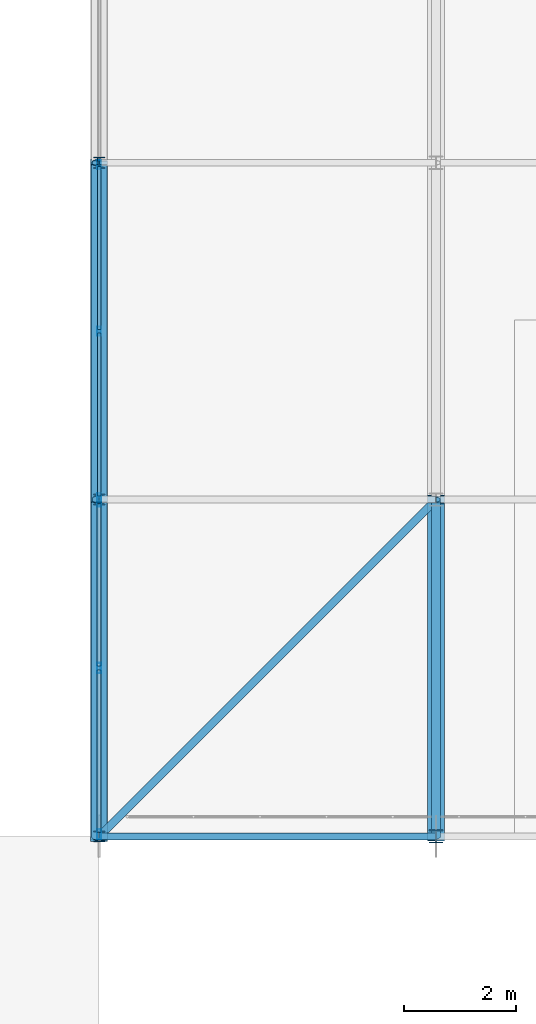
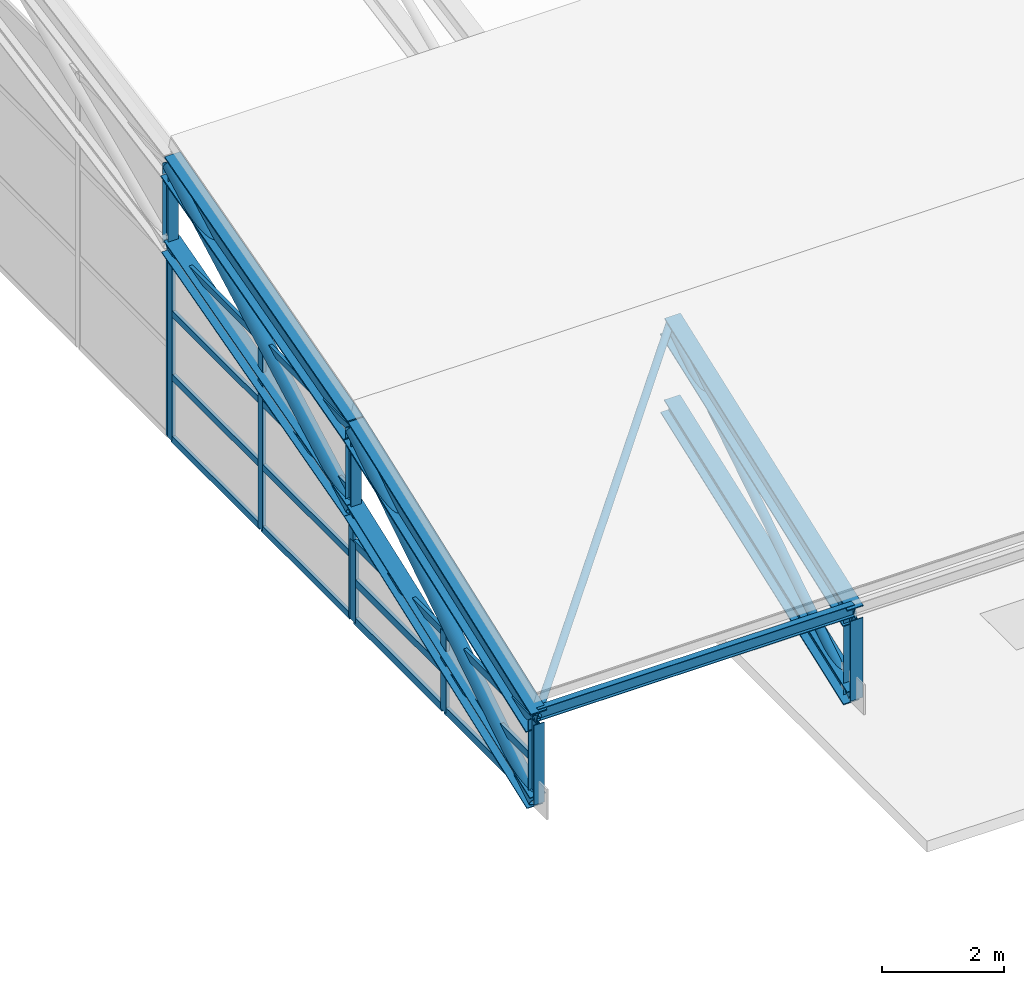
# One storey, part 19 of 204: 36 members, 3 elements without a shape of their own.
"""IFC4 building model written with IfcOpenShell, lengths in metres."""

from ifc_helpers import new_model, si_unit, direction, frame, origin, origin_2d, place, context, subcontext, project, spatial, hollow_rectangle, hollow_circle, i_section, extrude, material, layer, layer_set, material_profile, profile_set, type_object, element, aggregate, save


model = new_model("IFC4")

# Units and contexts
model_context = context("Model", 3, precision=1e-05, world=origin(), true_north=direction((0.0, 1.0)))
body_context = subcontext(model_context, "Body", "Model", "MODEL_VIEW")
ifc_project = project(units=[si_unit("LENGTHUNIT", "METRE"), si_unit("AREAUNIT", "SQUARE_METRE"), si_unit("VOLUMEUNIT", "CUBIC_METRE"), si_unit("PLANEANGLEUNIT", "RADIAN"), si_unit("MASSUNIT", "GRAM", prefix="KILO")], contexts=[model_context])

# Site, building, storey
site_placement = place(None, origin())
site = spatial("IfcSite", under=ifc_project, at=site_placement, CompositionType="ELEMENT")
building_placement = place(site_placement, origin())
building = spatial("IfcBuilding", under=site, at=building_placement, Name="Zilviju Railside Exhibition Hall", CompositionType="ELEMENT")
storey_placement = place(building_placement, frame((0.0, 0.0, 21.0)))
storey = spatial("IfcBuildingStorey", under=building, at=storey_placement, Name="RF", CompositionType="ELEMENT", Elevation=21.0)

# Curtain wall, member
ifc_material_1 = material(Name="Thermally broken aluminium-steel triple-glazed curtain wall", Category="steel")
ifc_layer_1 = layer(ifc_material_1, 0.179931640625)
ifc_layer_set_1 = layer_set([ifc_layer_1], Name="Thermally broken aluminium-steel triple-glazed curtain wall")
curtain_wall_type_1 = type_object("IfcCurtainWallType", Name="CW-BAY-11", PredefinedType="USERDEFINED", material=ifc_layer_set_1)
curtain_wall_1_placement = place(storey_placement, origin())
curtain_wall_1 = element("IfcCurtainWall", 1, at=curtain_wall_1_placement, inside=storey, type_object=curtain_wall_type_1, Name="South Hall Arch Tympanum Glazing West P3", ObjectType="GLAZED CURTAIN WALL", PredefinedType="USERDEFINED")
ifc_material_2 = material(Name="Thermally broken anodized aluminium mullion", Category="aluminium")
ifc_material_profile_1 = material_profile(ifc_material_2, hollow_rectangle(XDim=0.06005859375, YDim=0.139892578125, WallThickness=0.0048828125, at=origin_2d()), Name="MULLION 140x60x5")
ifc_profile_set_1 = profile_set([ifc_material_profile_1], Name="Thermally broken anodized aluminium mullion")
member_type_1 = type_object("IfcMemberType", Name="CWM-60x140", PredefinedType="MULLION", material=ifc_profile_set_1)
member_1_placement = place(storey_placement, frame((78.0, 12.030029296875, -7.800048828125), z_axis=(0.0, 0.0, 1.0), x_axis=(-1.0, 0.0, 0.0)))
member_1 = element("IfcMember", 2, at=member_1_placement, type_object=member_type_1, Name="CW-11 mullion 1", PredefinedType="MULLION", context=body_context, shape_type="SweptSolid", body=[
    extrude(hollow_rectangle(XDim=0.06005859375, YDim=0.139892578125, WallThickness=0.0048828125, at=origin_2d()), origin(), (0.0, 0.0, 1.0), 5.47216796875),
])
aggregate(curtain_wall_1, [member_1])

# Curtain wall, members
ifc_layer_2 = layer(ifc_material_1, 0.179931640625)
ifc_layer_set_2 = layer_set([ifc_layer_2], Name="Thermally broken aluminium-steel triple-glazed curtain wall")
curtain_wall_type_2 = type_object("IfcCurtainWallType", Name="CW-BAY-10", PredefinedType="USERDEFINED", material=ifc_layer_set_2)
curtain_wall_2_placement = place(storey_placement, origin())
curtain_wall_2 = element("IfcCurtainWall", 3, at=curtain_wall_2_placement, inside=storey, type_object=curtain_wall_type_2, Name="South Hall Arch Tympanum Glazing West P2", ObjectType="GLAZED CURTAIN WALL", PredefinedType="USERDEFINED")
ifc_material_profile_2 = material_profile(ifc_material_2, hollow_rectangle(XDim=0.06494140625, YDim=0.159912109375, WallThickness=0.0048828125, at=origin_2d()), Name="MULLION 160x65x5")
ifc_profile_set_2 = profile_set([ifc_material_profile_2], Name="Thermally broken anodized aluminium mullion")
member_type_2 = type_object("IfcMemberType", Name="CWM-65x160", PredefinedType="MULLION", material=ifc_profile_set_2)
member_2_placement = place(storey_placement, frame((78.0, 6.032470703125, -7.800048828125), z_axis=(0.0, 0.0, 1.0), x_axis=(-1.0, 0.0, 0.0)))
member_2 = element("IfcMember", 4, at=member_2_placement, type_object=member_type_2, Name="CW-10 mullion 1", PredefinedType="MULLION", context=body_context, shape_type="SweptSolid", body=[
    extrude(hollow_rectangle(XDim=0.06494140625, YDim=0.159912109375, WallThickness=0.0048828125, at=origin_2d()), origin(), (0.0, 0.0, 1.0), 3.81201171875),
])
member_3_placement = place(storey_placement, frame((78.0, 9.0, -7.800048828125), z_axis=(0.0, 0.0, 1.0), x_axis=(-1.0, 0.0, 0.0)))
member_3 = element("IfcMember", 5, at=member_3_placement, type_object=member_type_2, Name="CW-10 mullion 2", PredefinedType="MULLION", context=body_context, shape_type="SweptSolid", body=[
    extrude(hollow_rectangle(XDim=0.06494140625, YDim=0.159912109375, WallThickness=0.0048828125, at=origin_2d()), origin(), (0.0, 0.0, 1.0), 3.81201171875),
])
member_4_placement = place(storey_placement, frame((78.0, 11.967529296875, -7.800048828125), z_axis=(0.0, 0.0, 1.0), x_axis=(-1.0, 0.0, 0.0)))
member_4 = element("IfcMember", 6, at=member_4_placement, type_object=member_type_2, Name="CW-10 mullion 3", PredefinedType="MULLION", context=body_context, shape_type="SweptSolid", body=[
    extrude(hollow_rectangle(XDim=0.06494140625, YDim=0.159912109375, WallThickness=0.0048828125, at=origin_2d()), origin(), (0.0, 0.0, 1.0), 3.81201171875),
])

ifc_layer_3 = layer(ifc_material_1, 0.179931640625)
ifc_layer_set_3 = layer_set([ifc_layer_3], Name="Thermally broken aluminium-steel triple-glazed curtain wall")
curtain_wall_type_3 = type_object("IfcCurtainWallType", Name="CW-BAY-09", PredefinedType="USERDEFINED", material=ifc_layer_set_3)
curtain_wall_3_placement = place(storey_placement, origin())
curtain_wall_3 = element("IfcCurtainWall", 7, at=curtain_wall_3_placement, inside=storey, type_object=curtain_wall_type_3, Name="South Hall Arch Tympanum Glazing West P1", ObjectType="GLAZED CURTAIN WALL", PredefinedType="USERDEFINED")
ifc_material_profile_3 = material_profile(ifc_material_2, hollow_rectangle(XDim=0.070068359375, YDim=0.179931640625, WallThickness=0.0048828125, at=origin_2d()), Name="MULLION 180x70x5")
ifc_profile_set_3 = profile_set([ifc_material_profile_3], Name="Thermally broken anodized aluminium mullion")
member_type_3 = type_object("IfcMemberType", Name="CWM-70x180", PredefinedType="MULLION", material=ifc_profile_set_3)
member_5_placement = place(storey_placement, frame((78.0, 0.034912109375, -7.800048828125), z_axis=(0.0, 0.0, 1.0), x_axis=(-1.0, 0.0, 0.0)))
member_5 = element("IfcMember", 8, at=member_5_placement, type_object=member_type_3, Name="CW-09 mullion 1", PredefinedType="MULLION", context=body_context, shape_type="SweptSolid", body=[
    extrude(hollow_rectangle(XDim=0.070068359375, YDim=0.179931640625, WallThickness=0.0048828125, at=origin_2d()), origin(), (0.0, 0.0, 1.0), 1.60009765625),
])
member_6_placement = place(storey_placement, frame((78.0, 3.0, -7.800048828125), z_axis=(0.0, 0.0, 1.0), x_axis=(-1.0, 0.0, 0.0)))
member_6 = element("IfcMember", 9, at=member_6_placement, type_object=member_type_3, Name="CW-09 mullion 2", PredefinedType="MULLION", context=body_context, shape_type="SweptSolid", body=[
    extrude(hollow_rectangle(XDim=0.070068359375, YDim=0.179931640625, WallThickness=0.0048828125, at=origin_2d()), origin(), (0.0, 0.0, 1.0), 1.60009765625),
])
member_7_placement = place(storey_placement, frame((78.0, 5.965087890625, -7.800048828125), z_axis=(0.0, 0.0, 1.0), x_axis=(-1.0, 0.0, 0.0)))
member_7 = element("IfcMember", 10, at=member_7_placement, type_object=member_type_3, Name="CW-09 mullion 3", PredefinedType="MULLION", context=body_context, shape_type="SweptSolid", body=[
    extrude(hollow_rectangle(XDim=0.070068359375, YDim=0.179931640625, WallThickness=0.0048828125, at=origin_2d()), origin(), (0.0, 0.0, 1.0), 1.60009765625),
])

# Member
ifc_material_3 = material(Name="Thermally broken anodized aluminium transom", Category="aluminium")
ifc_material_profile_4 = material_profile(ifc_material_3, hollow_rectangle(XDim=0.06494140625, YDim=0.1298828125, WallThickness=0.0048828125, at=origin_2d()), Name="TRANSOM 130x65x5")
ifc_profile_set_4 = profile_set([ifc_material_profile_4], Name="Thermally broken anodized aluminium transom")
member_type_4 = type_object("IfcMemberType", Name="CWT-65x130", PredefinedType="USERDEFINED", material=ifc_profile_set_4)
member_8_placement = place(storey_placement, frame((78.0, 6.06494140625, -7.767578125), z_axis=(0.0, 1.0, 0.0), x_axis=(-1.0, 0.0, 0.0)))
member_8 = element("IfcMember", 11, at=member_8_placement, type_object=member_type_4, Name="CW-10 transom 1.1", ObjectType="TRANSOM", PredefinedType="USERDEFINED", context=body_context, shape_type="SweptSolid", body=[
    extrude(hollow_rectangle(XDim=0.06494140625, YDim=0.1298828125, WallThickness=0.0048828125, at=origin_2d()), origin(), (0.0, 0.0, 1.0), 2.902587890625),
])

member_9_placement = place(storey_placement, frame((78.0, 6.06494140625, -6.529052734375), z_axis=(0.0, 1.0, 0.0), x_axis=(-1.0, 0.0, 0.0)))
member_9 = element("IfcMember", 12, at=member_9_placement, type_object=member_type_4, Name="CW-10 transom 1.2", ObjectType="TRANSOM", PredefinedType="USERDEFINED", context=body_context, shape_type="SweptSolid", body=[
    extrude(hollow_rectangle(XDim=0.06494140625, YDim=0.1298828125, WallThickness=0.0048828125, at=origin_2d()), origin(), (0.0, 0.0, 1.0), 2.902587890625),
])

member_10_placement = place(storey_placement, frame((78.0, 6.06494140625, -5.259033203125), z_axis=(0.0, 1.0, 0.0), x_axis=(-1.0, 0.0, 0.0)))
member_10 = element("IfcMember", 13, at=member_10_placement, type_object=member_type_4, Name="CW-10 transom 1.3", ObjectType="TRANSOM", PredefinedType="USERDEFINED", context=body_context, shape_type="SweptSolid", body=[
    extrude(hollow_rectangle(XDim=0.06494140625, YDim=0.1298828125, WallThickness=0.0048828125, at=origin_2d()), origin(), (0.0, 0.0, 1.0), 2.902587890625),
])

member_11_placement = place(storey_placement, frame((78.0, 6.06494140625, -4.0205078125), z_axis=(0.0, 1.0, 0.0), x_axis=(-1.0, 0.0, 0.0)))
member_11 = element("IfcMember", 14, at=member_11_placement, type_object=member_type_4, Name="CW-10 transom 1.4", ObjectType="TRANSOM", PredefinedType="USERDEFINED", context=body_context, shape_type="SweptSolid", body=[
    extrude(hollow_rectangle(XDim=0.06494140625, YDim=0.1298828125, WallThickness=0.0048828125, at=origin_2d()), origin(), (0.0, 0.0, 1.0), 2.902587890625),
])

member_12_placement = place(storey_placement, frame((78.0, 9.032470703125, -7.767578125), z_axis=(0.0, 1.0, 0.0), x_axis=(-1.0, 0.0, 0.0)))
member_12 = element("IfcMember", 15, at=member_12_placement, type_object=member_type_4, Name="CW-10 transom 2.1", ObjectType="TRANSOM", PredefinedType="USERDEFINED", context=body_context, shape_type="SweptSolid", body=[
    extrude(hollow_rectangle(XDim=0.06494140625, YDim=0.1298828125, WallThickness=0.0048828125, at=origin_2d()), origin(), (0.0, 0.0, 1.0), 2.902587890625),
])

member_13_placement = place(storey_placement, frame((78.0, 9.032470703125, -6.529052734375), z_axis=(0.0, 1.0, 0.0), x_axis=(-1.0, 0.0, 0.0)))
member_13 = element("IfcMember", 16, at=member_13_placement, type_object=member_type_4, Name="CW-10 transom 2.2", ObjectType="TRANSOM", PredefinedType="USERDEFINED", context=body_context, shape_type="SweptSolid", body=[
    extrude(hollow_rectangle(XDim=0.06494140625, YDim=0.1298828125, WallThickness=0.0048828125, at=origin_2d()), origin(), (0.0, 0.0, 1.0), 2.902587890625),
])

member_14_placement = place(storey_placement, frame((78.0, 9.032470703125, -5.259033203125), z_axis=(0.0, 1.0, 0.0), x_axis=(-1.0, 0.0, 0.0)))
member_14 = element("IfcMember", 17, at=member_14_placement, type_object=member_type_4, Name="CW-10 transom 2.3", ObjectType="TRANSOM", PredefinedType="USERDEFINED", context=body_context, shape_type="SweptSolid", body=[
    extrude(hollow_rectangle(XDim=0.06494140625, YDim=0.1298828125, WallThickness=0.0048828125, at=origin_2d()), origin(), (0.0, 0.0, 1.0), 2.902587890625),
])

member_15_placement = place(storey_placement, frame((78.0, 9.032470703125, -4.0205078125), z_axis=(0.0, 1.0, 0.0), x_axis=(-1.0, 0.0, 0.0)))
member_15 = element("IfcMember", 18, at=member_15_placement, type_object=member_type_4, Name="CW-10 transom 2.4", ObjectType="TRANSOM", PredefinedType="USERDEFINED", context=body_context, shape_type="SweptSolid", body=[
    extrude(hollow_rectangle(XDim=0.06494140625, YDim=0.1298828125, WallThickness=0.0048828125, at=origin_2d()), origin(), (0.0, 0.0, 1.0), 2.902587890625),
])

aggregate(curtain_wall_2, [member_2, member_3, member_4, member_8, member_9, member_10, member_11, member_12, member_13, member_14, member_15])

ifc_material_profile_5 = material_profile(ifc_material_3, hollow_rectangle(XDim=0.070068359375, YDim=0.14990234375, WallThickness=0.0048828125, at=origin_2d()), Name="TRANSOM 150x70x5")
ifc_profile_set_5 = profile_set([ifc_material_profile_5], Name="Thermally broken anodized aluminium transom")
member_type_5 = type_object("IfcMemberType", Name="CWT-70x150", PredefinedType="USERDEFINED", material=ifc_profile_set_5)
member_16_placement = place(storey_placement, frame((78.0, 0.070068359375, -7.764892578125), z_axis=(0.0, 1.0, 0.0), x_axis=(-1.0, 0.0, 0.0)))
member_16 = element("IfcMember", 19, at=member_16_placement, type_object=member_type_5, Name="CW-09 transom 1.1", ObjectType="TRANSOM", PredefinedType="USERDEFINED", context=body_context, shape_type="SweptSolid", body=[
    extrude(hollow_rectangle(XDim=0.070068359375, YDim=0.14990234375, WallThickness=0.0048828125, at=origin_2d()), origin(), (0.0, 0.0, 1.0), 2.89501953125),
])

member_17_placement = place(storey_placement, frame((78.0, 0.070068359375, -7.0), z_axis=(0.0, 1.0, 0.0), x_axis=(-1.0, 0.0, 0.0)))
member_17 = element("IfcMember", 20, at=member_17_placement, type_object=member_type_5, Name="CW-09 transom 1.2", ObjectType="TRANSOM", PredefinedType="USERDEFINED", context=body_context, shape_type="SweptSolid", body=[
    extrude(hollow_rectangle(XDim=0.070068359375, YDim=0.14990234375, WallThickness=0.0048828125, at=origin_2d()), origin(), (0.0, 0.0, 1.0), 2.89501953125),
])

member_18_placement = place(storey_placement, frame((78.0, 0.070068359375, -6.235107421875), z_axis=(0.0, 1.0, 0.0), x_axis=(-1.0, 0.0, 0.0)))
member_18 = element("IfcMember", 21, at=member_18_placement, type_object=member_type_5, Name="CW-09 transom 1.3", ObjectType="TRANSOM", PredefinedType="USERDEFINED", context=body_context, shape_type="SweptSolid", body=[
    extrude(hollow_rectangle(XDim=0.070068359375, YDim=0.14990234375, WallThickness=0.0048828125, at=origin_2d()), origin(), (0.0, 0.0, 1.0), 2.89501953125),
])

member_19_placement = place(storey_placement, frame((78.0, 3.034912109375, -7.764892578125), z_axis=(0.0, 1.0, 0.0), x_axis=(-1.0, 0.0, 0.0)))
member_19 = element("IfcMember", 22, at=member_19_placement, type_object=member_type_5, Name="CW-09 transom 2.1", ObjectType="TRANSOM", PredefinedType="USERDEFINED", context=body_context, shape_type="SweptSolid", body=[
    extrude(hollow_rectangle(XDim=0.070068359375, YDim=0.14990234375, WallThickness=0.0048828125, at=origin_2d()), origin(), (0.0, 0.0, 1.0), 2.89501953125),
])

member_20_placement = place(storey_placement, frame((78.0, 3.034912109375, -7.0), z_axis=(0.0, 1.0, 0.0), x_axis=(-1.0, 0.0, 0.0)))
member_20 = element("IfcMember", 23, at=member_20_placement, type_object=member_type_5, Name="CW-09 transom 2.2", ObjectType="TRANSOM", PredefinedType="USERDEFINED", context=body_context, shape_type="SweptSolid", body=[
    extrude(hollow_rectangle(XDim=0.070068359375, YDim=0.14990234375, WallThickness=0.0048828125, at=origin_2d()), origin(), (0.0, 0.0, 1.0), 2.89501953125),
])

member_21_placement = place(storey_placement, frame((78.0, 3.034912109375, -6.235107421875), z_axis=(0.0, 1.0, 0.0), x_axis=(-1.0, 0.0, 0.0)))
member_21 = element("IfcMember", 24, at=member_21_placement, type_object=member_type_5, Name="CW-09 transom 2.3", ObjectType="TRANSOM", PredefinedType="USERDEFINED", context=body_context, shape_type="SweptSolid", body=[
    extrude(hollow_rectangle(XDim=0.070068359375, YDim=0.14990234375, WallThickness=0.0048828125, at=origin_2d()), origin(), (0.0, 0.0, 1.0), 2.89501953125),
])

aggregate(curtain_wall_3, [member_5, member_6, member_7, member_16, member_17, member_18, member_19, member_20, member_21])

# Members
ifc_material_4 = material(Name="Steel S355J2", Category="steel")
ifc_material_profile_6 = material_profile(ifc_material_4, hollow_circle(Radius=0.06982421875, WallThickness=0.00634765625, at=origin_2d()), Name="CHS 139.7x6.3")
ifc_profile_set_6 = profile_set([ifc_material_profile_6], Name="Steel S355J2")
member_type_6 = type_object("IfcMemberType", Name="TR-BR-CHS139", PredefinedType="BRACE", material=ifc_profile_set_6)
member_22_placement = place(storey_placement, frame((78.0, 0.0, -6.14013671875), z_axis=(0.684952207601, 0.684952207601, 0.248356490964), x_axis=(-0.707106781187, 0.707106781187, 0.0)))
element("IfcMember", 25, at=member_22_placement, inside=storey, type_object=member_type_6, Name="V1 Roof Wind Brace (78.0..84.0)", PredefinedType="BRACE", context=body_context, shape_type="SweptSolid", body=[
    extrude(hollow_circle(Radius=0.06982421875, WallThickness=0.00634765625, at=origin_2d()), origin(), (0.0, 0.0, 1.0), 8.759765625),
])
ifc_material_profile_7 = material_profile(ifc_material_4, hollow_circle(Radius=0.084228515625, WallThickness=0.008056640625, at=origin_2d()), Name="CHS 168.3x8.0")
ifc_profile_set_7 = profile_set([ifc_material_profile_7], Name="Steel S355J2")
member_type_7 = type_object("IfcMemberType", Name="TR-BR-CHS168", PredefinedType="BRACE", material=ifc_profile_set_7)
member_23_placement = place(storey_placement, frame((84.0, 0.0, -7.800048828125), z_axis=(0.0, 0.844023315733, 0.536306481872), x_axis=(-1.0, 0.0, 0.0)))
element("IfcMember", 26, at=member_23_placement, inside=storey, type_object=member_type_7, Name="V1 Parabolic Arch Web Diagonal X=84.0 P1", PredefinedType="BRACE", context=body_context, shape_type="SweptSolid", body=[
    extrude(hollow_circle(Radius=0.084228515625, WallThickness=0.008056640625, at=origin_2d()), origin(), (0.0, 0.0, 1.0), 7.10888671875),
])
ifc_material_5 = material(Name="Steel S355ML", Category="steel")
ifc_material_profile_8 = material_profile(ifc_material_5, hollow_circle(Radius=0.136474609375, WallThickness=0.012451171875, at=origin_2d()), Name="CHS 273.0x12.5")
ifc_profile_set_8 = profile_set([ifc_material_profile_8], Name="Steel S355ML")
member_type_8 = type_object("IfcMemberType", Name="TR-BR-CHS273", PredefinedType="BRACE", material=ifc_profile_set_8)
member_24_placement = place(storey_placement, frame((78.0, 0.0, -7.800048828125), z_axis=(0.0, 0.844023315733, 0.536306481872), x_axis=(-1.0, 0.0, 0.0)))
element("IfcMember", 27, at=member_24_placement, inside=storey, type_object=member_type_8, Name="V1 Parabolic Arch Web Diagonal X=78.0 P1", PredefinedType="BRACE", context=body_context, shape_type="SweptSolid", body=[
    extrude(hollow_circle(Radius=0.136474609375, WallThickness=0.012451171875, at=origin_2d()), origin(), (0.0, 0.0, 1.0), 7.10888671875),
])
member_25_placement = place(storey_placement, frame((78.0, 6.0, -5.587646484375), z_axis=(0.0, 0.87872232578, 0.477333294644), x_axis=(-1.0, 0.0, 0.0)))
element("IfcMember", 28, at=member_25_placement, inside=storey, type_object=member_type_8, Name="V1 Parabolic Arch Web Diagonal X=78.0 P2", PredefinedType="BRACE", context=body_context, shape_type="SweptSolid", body=[
    extrude(hollow_circle(Radius=0.136474609375, WallThickness=0.012451171875, at=origin_2d()), origin(), (0.0, 0.0, 1.0), 6.828125),
])
ifc_material_profile_9 = material_profile(ifc_material_5, i_section(OverallWidth=0.300048828125, OverallDepth=0.300048828125, WebThickness=0.010986328125, FlangeThickness=0.01904296875, at=origin_2d()), Name="HEB 300")
ifc_profile_set_9 = profile_set([ifc_material_profile_9], Name="Steel S355ML")
member_type_9 = type_object("IfcMemberType", Name="TR-CH-HEB300", PredefinedType="CHORD", material=ifc_profile_set_9)
member_26_placement = place(storey_placement, frame((78.0, 0.0, -7.800048828125), z_axis=(0.0, 0.938247917098, 0.345963648468), x_axis=(-1.0, 0.0, 0.0)))
element("IfcMember", 29, at=member_26_placement, inside=storey, type_object=member_type_9, Name="V1 Parabolic Arch Bottom Chord X=78.0 P1", PredefinedType="CHORD", context=body_context, shape_type="SweptSolid", body=[
    extrude(i_section(OverallWidth=0.300048828125, OverallDepth=0.300048828125, WebThickness=0.010986328125, FlangeThickness=0.01904296875, at=origin_2d()), origin(), (0.0, 0.0, 1.0), 6.39501953125),
])
member_27_placement = place(storey_placement, frame((78.0, 6.0, -5.587646484375), z_axis=(0.0, 0.963827412659, 0.266527144223), x_axis=(-1.0, 0.0, 0.0)))
element("IfcMember", 30, at=member_27_placement, inside=storey, type_object=member_type_9, Name="V1 Parabolic Arch Bottom Chord X=78.0 P2", PredefinedType="CHORD", context=body_context, shape_type="SweptSolid", body=[
    extrude(i_section(OverallWidth=0.300048828125, OverallDepth=0.300048828125, WebThickness=0.010986328125, FlangeThickness=0.01904296875, at=origin_2d()), origin(), (0.0, 0.0, 1.0), 6.22509765625),
])
ifc_material_profile_10 = material_profile(ifc_material_4, i_section(OverallWidth=0.300048828125, OverallDepth=0.360107421875, WebThickness=0.012451171875, FlangeThickness=0.0224609375, at=origin_2d()), Name="HEB 360")
ifc_profile_set_10 = profile_set([ifc_material_profile_10], Name="Steel S355J2")
member_type_10 = type_object("IfcMemberType", Name="TR-CH-HEB360", PredefinedType="CHORD", material=ifc_profile_set_10)
member_28_placement = place(storey_placement, frame((84.0, 0.0, -7.800048828125), z_axis=(0.0, 0.938247917098, 0.345963648468), x_axis=(-1.0, 0.0, 0.0)))
element("IfcMember", 31, at=member_28_placement, inside=storey, type_object=member_type_10, Name="V1 Parabolic Arch Bottom Chord X=84.0 P1", PredefinedType="CHORD", context=body_context, shape_type="SweptSolid", body=[
    extrude(i_section(OverallWidth=0.300048828125, OverallDepth=0.360107421875, WebThickness=0.012451171875, FlangeThickness=0.0224609375, at=origin_2d()), origin(), (0.0, 0.0, 1.0), 6.39501953125),
])
ifc_material_profile_11 = material_profile(ifc_material_4, i_section(OverallWidth=0.300048828125, OverallDepth=0.449951171875, WebThickness=0.013916015625, FlangeThickness=0.02587890625, at=origin_2d()), Name="HEB 450")
ifc_profile_set_11 = profile_set([ifc_material_profile_11], Name="Steel S355J2")
member_type_11 = type_object("IfcMemberType", Name="TR-CH-HEB450", PredefinedType="CHORD", material=ifc_profile_set_11)
member_29_placement = place(storey_placement, frame((84.0, 0.0, -6.199951171875), z_axis=(0.0, 0.938247917098, 0.345963648468), x_axis=(-1.0, 0.0, 0.0)))
element("IfcMember", 32, at=member_29_placement, inside=storey, type_object=member_type_11, Name="V1 Parabolic Arch Top Chord X=84.0 P1", PredefinedType="CHORD", context=body_context, shape_type="SweptSolid", body=[
    extrude(i_section(OverallWidth=0.300048828125, OverallDepth=0.449951171875, WebThickness=0.013916015625, FlangeThickness=0.02587890625, at=origin_2d()), origin(), (0.0, 0.0, 1.0), 6.39501953125),
])
ifc_material_profile_12 = material_profile(ifc_material_5, i_section(OverallWidth=0.300048828125, OverallDepth=0.5, WebThickness=0.014404296875, FlangeThickness=0.028076171875, at=origin_2d()), Name="HEB 500")
ifc_profile_set_12 = profile_set([ifc_material_profile_12], Name="Steel S355ML")
member_type_12 = type_object("IfcMemberType", Name="TR-CH-HEB500-ML", PredefinedType="CHORD", material=ifc_profile_set_12)
member_30_placement = place(storey_placement, frame((78.0, 0.0, -6.199951171875), z_axis=(0.0, 0.938247917098, 0.345963648468), x_axis=(-1.0, 0.0, 0.0)))
element("IfcMember", 33, at=member_30_placement, inside=storey, type_object=member_type_12, Name="V1 Parabolic Arch Top Chord X=78.0 P1", PredefinedType="CHORD", context=body_context, shape_type="SweptSolid", body=[
    extrude(i_section(OverallWidth=0.300048828125, OverallDepth=0.5, WebThickness=0.014404296875, FlangeThickness=0.028076171875, at=origin_2d()), origin(), (0.0, 0.0, 1.0), 6.39501953125),
])
member_31_placement = place(storey_placement, frame((78.0, 6.0, -3.987548828125), z_axis=(0.0, 0.963827412659, 0.266527144223), x_axis=(-1.0, 0.0, 0.0)))
element("IfcMember", 34, at=member_31_placement, inside=storey, type_object=member_type_12, Name="V1 Parabolic Arch Top Chord X=78.0 P2", PredefinedType="CHORD", context=body_context, shape_type="SweptSolid", body=[
    extrude(i_section(OverallWidth=0.300048828125, OverallDepth=0.5, WebThickness=0.014404296875, FlangeThickness=0.028076171875, at=origin_2d()), origin(), (0.0, 0.0, 1.0), 6.22509765625),
])
ifc_material_profile_13 = material_profile(ifc_material_5, i_section(OverallWidth=0.199951171875, OverallDepth=0.18994140625, WebThickness=0.006591796875, FlangeThickness=0.010009765625, at=origin_2d()), Name="HEA 200")
ifc_profile_set_13 = profile_set([ifc_material_profile_13], Name="Steel S355ML")
member_type_13 = type_object("IfcMemberType", Name="TR-POST-HEA200", PredefinedType="POST", material=ifc_profile_set_13)
for number, where, z_axis, x_axis, name in (
    (35, (78.0, 0.0, -7.800048828125), (0.0, 0.0, 1.0), (1.0, 0.0, 0.0), "V1 Parabolic Arch Web Post X=78.0 N0"),
    (36, (78.0, 6.0, -5.587646484375), (0.0, 0.0, 1.0), (1.0, 0.0, 0.0), "V1 Parabolic Arch Web Post X=78.0 N1"),
    (37, (78.0, 12.0, -3.928466796875), (0.0, 0.0, 1.0), (1.0, 0.0, 0.0), "V1 Parabolic Arch Web Post X=78.0 N2"),
):
    element("IfcMember", number, at=place(storey_placement, frame(where, z_axis=z_axis, x_axis=x_axis)), inside=storey, type_object=member_type_13, Name=name, PredefinedType="POST", context=body_context, shape_type="SweptSolid", body=[
        extrude(i_section(OverallWidth=0.199951171875, OverallDepth=0.18994140625, WebThickness=0.006591796875, FlangeThickness=0.010009765625, at=origin_2d()), origin(), (0.0, 0.0, 1.0), 1.60009765625),
    ])
ifc_material_profile_14 = material_profile(ifc_material_4, i_section(OverallWidth=0.239990234375, OverallDepth=0.22998046875, WebThickness=0.007568359375, FlangeThickness=0.011962890625, at=origin_2d()), Name="HEA 240")
ifc_profile_set_14 = profile_set([ifc_material_profile_14], Name="Steel S355J2")
member_type_14 = type_object("IfcMemberType", Name="TR-POST-HEA240", PredefinedType="POST", material=ifc_profile_set_14)
member_32_placement = place(storey_placement, frame((84.0, 0.0, -7.800048828125), z_axis=(0.0, 0.0, 1.0), x_axis=(1.0, 0.0, 0.0)))
element("IfcMember", 38, at=member_32_placement, inside=storey, type_object=member_type_14, Name="V1 Parabolic Arch Web Post X=84.0 N0", PredefinedType="POST", context=body_context, shape_type="SweptSolid", body=[
    extrude(i_section(OverallWidth=0.239990234375, OverallDepth=0.22998046875, WebThickness=0.007568359375, FlangeThickness=0.011962890625, at=origin_2d()), origin(), (0.0, 0.0, 1.0), 1.60009765625),
])
ifc_material_profile_15 = material_profile(ifc_material_4, i_section(OverallWidth=0.1201171875, OverallDepth=0.239990234375, WebThickness=0.006103515625, FlangeThickness=0.009765625, at=origin_2d()), Name="IPE 240")
ifc_profile_set_15 = profile_set([ifc_material_profile_15], Name="Steel S355J2")
member_type_15 = type_object("IfcMemberType", Name="TR-PUR-IPE240", PredefinedType="PURLIN", material=ifc_profile_set_15)
member_33_placement = place(storey_placement, frame((78.0, 0.0, -6.05517578125), z_axis=(1.0, 0.0, 0.0), x_axis=(0.0, 1.0, 0.0)))
element("IfcMember", 39, at=member_33_placement, inside=storey, type_object=member_type_15, Name="V1 Barrel Vault Roof Purlin Y=0.0 (78.0..84.0)", PredefinedType="PURLIN", context=body_context, shape_type="SweptSolid", body=[
    extrude(i_section(OverallWidth=0.1201171875, OverallDepth=0.239990234375, WebThickness=0.006103515625, FlangeThickness=0.009765625, at=origin_2d()), origin(), (0.0, 0.0, 1.0), 6.0),
])

save(model, "model.ifc")
